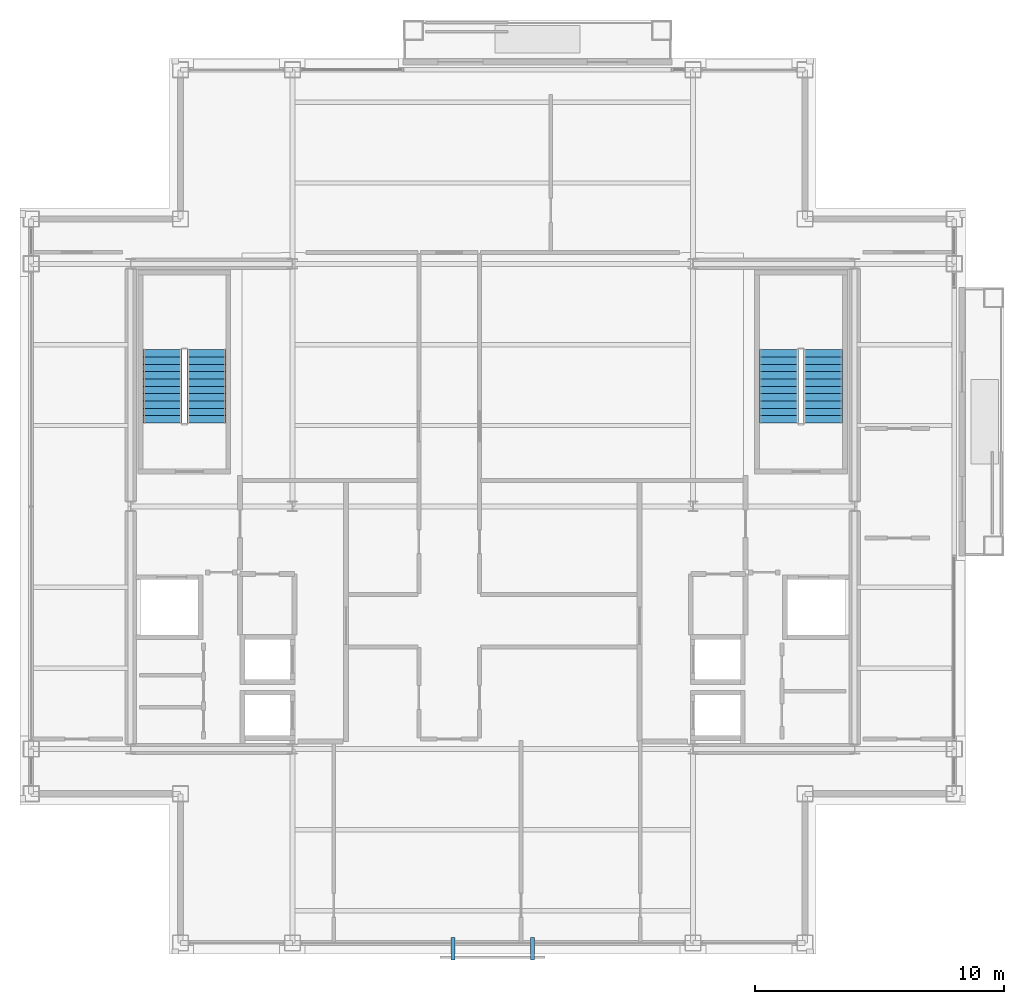
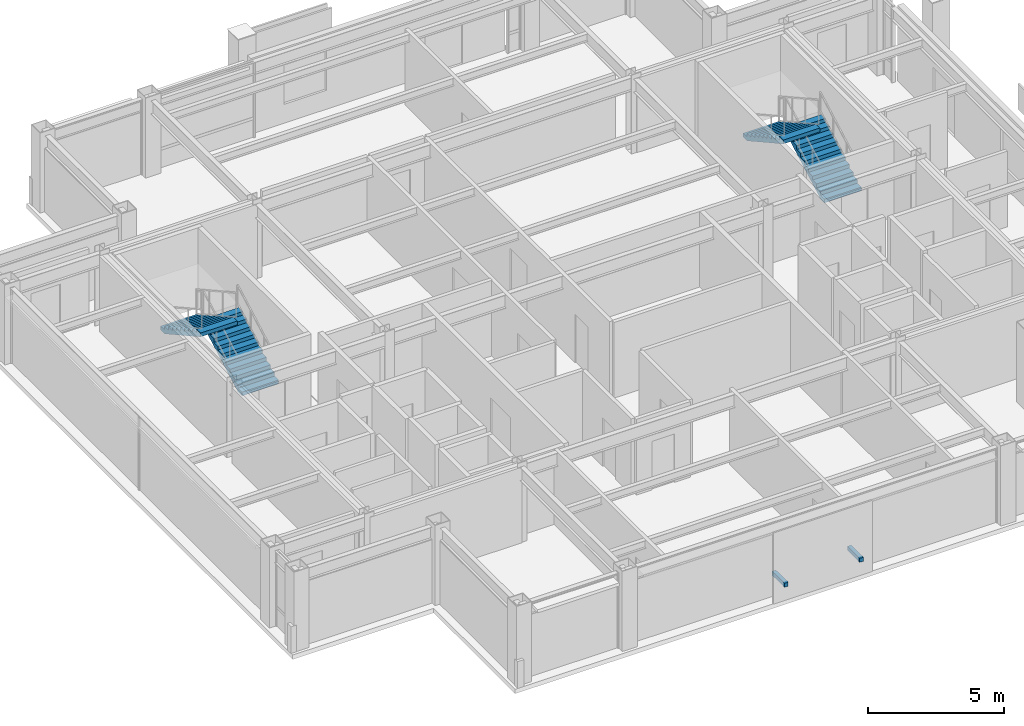
# One storey, part 22 of 24: 4 stair flights, 2 discrete accessories, 2 elements without a shape of their own.
"""IFC4 building model written with IfcOpenShell, lengths in metres."""

from ifc_helpers import new_model, si_unit, direction, frame, origin, origin_2d, place, context, subcontext, project, spatial, polyline, rectangle, outline, extrude, material, type_object, element, aggregate, save


model = new_model("IFC4")

# Units and contexts
model_context = context("Model", 3, precision=1e-05, world=origin(), true_north=direction((0.0, 1.0)))
body_context = subcontext(model_context, "Body", "Model", "MODEL_VIEW")
ifc_project = project(units=[si_unit("LENGTHUNIT", "METRE"), si_unit("AREAUNIT", "SQUARE_METRE"), si_unit("VOLUMEUNIT", "CUBIC_METRE"), si_unit("PLANEANGLEUNIT", "RADIAN"), si_unit("MASSUNIT", "GRAM", prefix="KILO")], contexts=[model_context])

# Site, building, storey
site_placement = place(None, origin())
site = spatial("IfcSite", under=ifc_project, at=site_placement, CompositionType="ELEMENT")
building_placement = place(site_placement, origin())
building = spatial("IfcBuilding", under=site, at=building_placement, Name="Brelmoor Portico Tower", CompositionType="ELEMENT")
storey_placement = place(building_placement, frame((0.0, 0.0, 232.800048828125)))
storey = spatial("IfcBuildingStorey", under=building, at=storey_placement, Name="L61", CompositionType="ELEMENT", Elevation=232.800048828125)

# Stair, stair flights
ifc_material_1 = material(Name="Concrete C40", Category="concrete")
stair_type_1 = type_object("IfcStairType", Name="ST-CORE-W", PredefinedType="HALF_TURN_STAIR", material=ifc_material_1)
stair_1_placement = place(storey_placement, origin())
stair_1 = element("IfcStair", 1, at=stair_1_placement, inside=storey, type_object=stair_type_1, Name="L61 Protected Core Exit Stair ST-W", PredefinedType="HALF_TURN_STAIR")
stair_flight_type = type_object("IfcStairFlightType", Name="SF-CORE-1850", PredefinedType="STRAIGHT", material=ifc_material_1)
stair_flight_1_placement = place(storey_placement, frame((-11.510009765625, 3.35009765625, 0.0), z_axis=(0.0, 0.0, 1.0), x_axis=(0.0, 1.0, 0.0)))
stair_flight_1 = element("IfcStairFlight", 2, at=stair_flight_1_placement, type_object=stair_flight_type, Name="ST-W flight 1", NumberOfRisers=11, NumberOfTreads=10, PredefinedType="STRAIGHT", RiserHeight=0.163636364, TreadLength=0.295, context=body_context, shape_type="SweptSolid", body=[
    extrude(outline(polyline([(0.0, 0.0), (0.0, 0.16357421875), (0.294921875, 0.16357421875), (0.294921875, 0.327392578125), (0.590087890625, 0.327392578125), (0.590087890625, 0.490966796875), (0.885009765625, 0.490966796875), (0.885009765625, 0.654541015625), (1.179931640625, 0.654541015625), (1.179931640625, 0.818115234375), (1.47509765625, 0.818115234375), (1.47509765625, 0.98193359375), (1.77001953125, 0.98193359375), (1.77001953125, 1.1455078125), (2.06494140625, 1.1455078125), (2.06494140625, 1.30908203125), (2.360107421875, 1.30908203125), (2.360107421875, 1.47265625), (2.655029296875, 1.47265625), (2.655029296875, 1.636474609375), (2.949951171875, 1.636474609375), (2.949951171875, 1.800048828125), (2.949951171875, 1.46484375), (0.30908203125, 0.0), (0.0, 0.0)])), frame((0.0, 0.780029296875, 0.0), z_axis=(0.0, -1.0, 0.0), x_axis=(1.0, 0.0, 0.0)), (0.0, 0.0, 1.0), 1.56005859375),
])
stair_flight_2_placement = place(storey_placement, frame((-13.27001953125, 6.300048828125, 1.800048828125), z_axis=(0.0, 0.0, 1.0), x_axis=(0.0, -1.0, 0.0)))
stair_flight_2 = element("IfcStairFlight", 3, at=stair_flight_2_placement, type_object=stair_flight_type, Name="ST-W flight 2", NumberOfRisers=11, NumberOfTreads=10, PredefinedType="STRAIGHT", RiserHeight=0.163636364, TreadLength=0.295, context=body_context, shape_type="SweptSolid", body=[
    extrude(outline(polyline([(0.0, 0.0), (0.0, 0.16357421875), (0.294921875, 0.16357421875), (0.294921875, 0.327392578125), (0.590087890625, 0.327392578125), (0.590087890625, 0.490966796875), (0.885009765625, 0.490966796875), (0.885009765625, 0.654541015625), (1.179931640625, 0.654541015625), (1.179931640625, 0.818115234375), (1.47509765625, 0.818115234375), (1.47509765625, 0.98193359375), (1.77001953125, 0.98193359375), (1.77001953125, 1.1455078125), (2.06494140625, 1.1455078125), (2.06494140625, 1.30908203125), (2.360107421875, 1.30908203125), (2.360107421875, 1.47265625), (2.655029296875, 1.47265625), (2.655029296875, 1.636474609375), (2.949951171875, 1.636474609375), (2.949951171875, 1.800048828125), (2.949951171875, 1.46484375), (0.30908203125, 0.0), (0.0, 0.0)])), frame((0.0, 0.780029296875, 0.0), z_axis=(0.0, -1.0, 0.0), x_axis=(1.0, 0.0, 0.0)), (0.0, 0.0, 1.0), 1.56005859375),
])
aggregate(stair_1, [stair_flight_1, stair_flight_2])

stair_type_2 = type_object("IfcStairType", Name="ST-CORE-E", PredefinedType="HALF_TURN_STAIR", material=ifc_material_1)
stair_2_placement = place(storey_placement, origin())
stair_2 = element("IfcStair", 4, at=stair_2_placement, inside=storey, type_object=stair_type_2, Name="L61 Protected Core Exit Stair ST-E", PredefinedType="HALF_TURN_STAIR")
stair_flight_3_placement = place(storey_placement, frame((13.27001953125, 3.35009765625, 0.0), z_axis=(0.0, 0.0, 1.0), x_axis=(0.0, 1.0, 0.0)))
stair_flight_3 = element("IfcStairFlight", 5, at=stair_flight_3_placement, type_object=stair_flight_type, Name="ST-E flight 1", NumberOfRisers=11, NumberOfTreads=10, PredefinedType="STRAIGHT", RiserHeight=0.163636364, TreadLength=0.295, context=body_context, shape_type="SweptSolid", body=[
    extrude(outline(polyline([(0.0, 0.0), (0.0, 0.16357421875), (0.294921875, 0.16357421875), (0.294921875, 0.327392578125), (0.590087890625, 0.327392578125), (0.590087890625, 0.490966796875), (0.885009765625, 0.490966796875), (0.885009765625, 0.654541015625), (1.179931640625, 0.654541015625), (1.179931640625, 0.818115234375), (1.47509765625, 0.818115234375), (1.47509765625, 0.98193359375), (1.77001953125, 0.98193359375), (1.77001953125, 1.1455078125), (2.06494140625, 1.1455078125), (2.06494140625, 1.30908203125), (2.360107421875, 1.30908203125), (2.360107421875, 1.47265625), (2.655029296875, 1.47265625), (2.655029296875, 1.636474609375), (2.949951171875, 1.636474609375), (2.949951171875, 1.800048828125), (2.949951171875, 1.46484375), (0.30908203125, 0.0), (0.0, 0.0)])), frame((0.0, 0.780029296875, 0.0), z_axis=(0.0, -1.0, 0.0), x_axis=(1.0, 0.0, 0.0)), (0.0, 0.0, 1.0), 1.56005859375),
])
stair_flight_4_placement = place(storey_placement, frame((11.510009765625, 6.300048828125, 1.800048828125), z_axis=(0.0, 0.0, 1.0), x_axis=(0.0, -1.0, 0.0)))
stair_flight_4 = element("IfcStairFlight", 6, at=stair_flight_4_placement, type_object=stair_flight_type, Name="ST-E flight 2", NumberOfRisers=11, NumberOfTreads=10, PredefinedType="STRAIGHT", RiserHeight=0.163636364, TreadLength=0.295, context=body_context, shape_type="SweptSolid", body=[
    extrude(outline(polyline([(0.0, 0.0), (0.0, 0.16357421875), (0.294921875, 0.16357421875), (0.294921875, 0.327392578125), (0.590087890625, 0.327392578125), (0.590087890625, 0.490966796875), (0.885009765625, 0.490966796875), (0.885009765625, 0.654541015625), (1.179931640625, 0.654541015625), (1.179931640625, 0.818115234375), (1.47509765625, 0.818115234375), (1.47509765625, 0.98193359375), (1.77001953125, 0.98193359375), (1.77001953125, 1.1455078125), (2.06494140625, 1.1455078125), (2.06494140625, 1.30908203125), (2.360107421875, 1.30908203125), (2.360107421875, 1.47265625), (2.655029296875, 1.47265625), (2.655029296875, 1.636474609375), (2.949951171875, 1.636474609375), (2.949951171875, 1.800048828125), (2.949951171875, 1.46484375), (0.30908203125, 0.0), (0.0, 0.0)])), frame((0.0, 0.780029296875, 0.0), z_axis=(0.0, -1.0, 0.0), x_axis=(1.0, 0.0, 0.0)), (0.0, 0.0, 1.0), 1.56005859375),
])
aggregate(stair_2, [stair_flight_3, stair_flight_4])

# Discrete accessories
ifc_material_2 = material(Name="Galvanised Steel Q355B", Category="steel")
discrete_accessory_type = type_object("IfcDiscreteAccessoryType", Name="DA-SCREEN-BRACKET", PredefinedType="BRACKET", material=ifc_material_2)
for number, where, z_axis, x_axis, name in (
    (7, (-1.60009765625, -17.780029296875, 0.759765625), (0.0, 0.0, 1.0), (1.0, 0.0, 0.0), "L61 Solar Screen Bracket S1A"),
    (8, (1.60009765625, -17.780029296875, 0.759765625), (0.0, 0.0, 1.0), (1.0, 0.0, 0.0), "L61 Solar Screen Bracket S1B"),
):
    element("IfcDiscreteAccessory", number, at=place(storey_placement, frame(where, z_axis=z_axis, x_axis=x_axis)), inside=storey, type_object=discrete_accessory_type, Name=name, PredefinedType="BRACKET", context=body_context, shape_type="SweptSolid", body=[
        extrude(rectangle(XDim=0.159912109375, YDim=0.89990234375, at=origin_2d()), origin(), (0.0, 0.0, 1.0), 0.179931640625),
    ])

save(model, "model.ifc")
